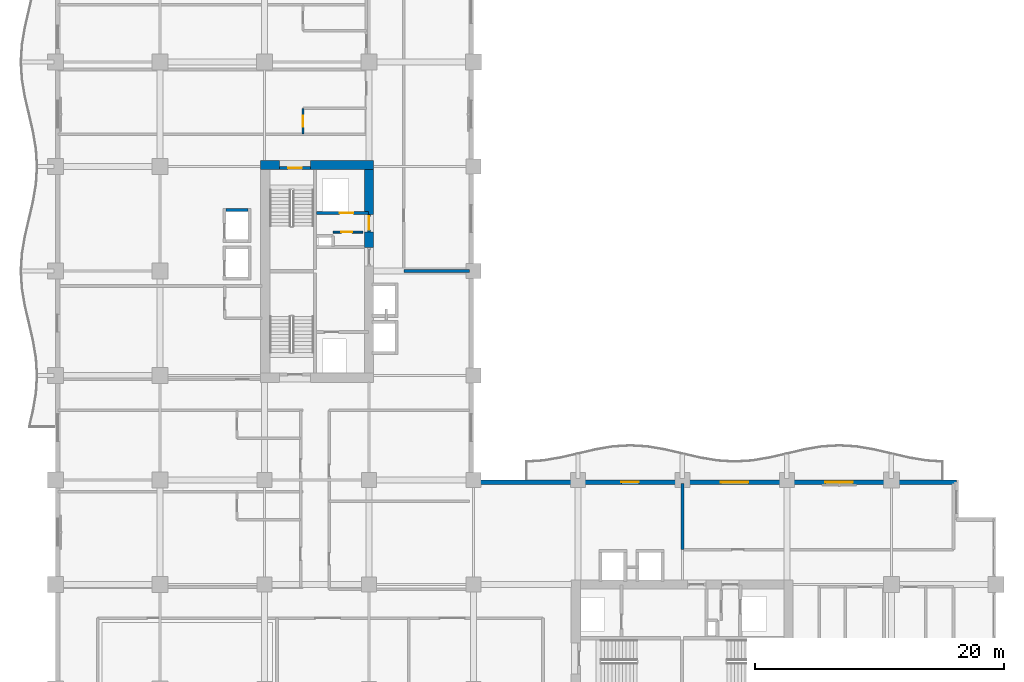
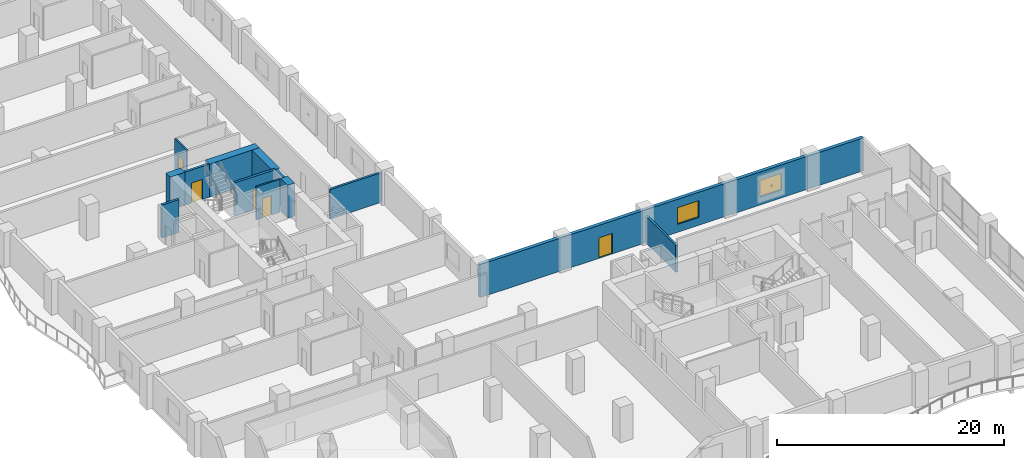
# One storey, part 13 of 24: 13 walls, 6 doors, 2 windows, 8 openings.
"""IFC4 building model written with IfcOpenShell, lengths in metres."""

from ifc_helpers import new_model, si_unit, direction, frame, frame_2d, origin, place, context, subcontext, project, spatial, rectangle, extrude, material, layer, layer_set, type_object, element, fill, save


model = new_model("IFC4")

# Units and contexts
model_context = context("Model", 3, precision=1e-05, world=origin(), true_north=direction((0.0, 1.0)))
body_context = subcontext(model_context, "Body", "Model", "MODEL_VIEW")
ifc_project = project(units=[si_unit("LENGTHUNIT", "METRE"), si_unit("AREAUNIT", "SQUARE_METRE"), si_unit("VOLUMEUNIT", "CUBIC_METRE"), si_unit("PLANEANGLEUNIT", "RADIAN"), si_unit("MASSUNIT", "GRAM", prefix="KILO")], contexts=[model_context])

# Site, building, storey
site_placement = place(None, origin())
site = spatial("IfcSite", under=ifc_project, at=site_placement, CompositionType="ELEMENT")
building_placement = place(site_placement, origin())
building = spatial("IfcBuilding", under=site, at=building_placement, Name="Koriwani Terraces Tower", CompositionType="ELEMENT")
storey_placement = place(building_placement, frame((0.0, 0.0, 149.39990234375)))
storey = spatial("IfcBuildingStorey", under=building, at=storey_placement, Name="L36", CompositionType="ELEMENT", Elevation=149.39990234375)

# Walls
ifc_material_1 = material(Name="Concrete C60/75", Category="concrete")
ifc_layer_1 = layer(ifc_material_1, 0.75, Name="Concrete C60/75")
ifc_layer_set_1 = layer_set([ifc_layer_1], Name="Concrete C60/75")
wall_type_1 = type_object("IfcWallType", Name="WALL_CORE_RC_750", PredefinedType="SHEAR", material=ifc_layer_set_1)
wall_1_placement = place(storey_placement, frame((16.5, 58.925048828125, 0.0), z_axis=(0.0, 0.0, 1.0), x_axis=(1.0, 0.0, 0.0)))
element("IfcWall", 1, at=wall_1_placement, inside=storey, type_object=wall_type_1, Name="L36 West Split Core Shear Wall N1", PredefinedType="SHEAR", context=body_context, shape_type="SweptSolid", body=[
    extrude(rectangle(XDim=1.5, YDim=0.75, at=frame_2d((0.75, 0.0))), origin(), (0.0, 0.0, 1.0), 3.550048828125),
])
wall_2_placement = place(storey_placement, frame((20.5, 58.925048828125, 0.0), z_axis=(0.0, 0.0, 1.0), x_axis=(1.0, 0.0, 0.0)))
element("IfcWall", 2, at=wall_2_placement, inside=storey, type_object=wall_type_1, Name="L36 West Split Core Shear Wall N2", PredefinedType="SHEAR", context=body_context, shape_type="SweptSolid", body=[
    extrude(rectangle(XDim=5.074951171875, YDim=0.75, at=frame_2d((2.53759765625, 0.0))), origin(), (0.0, 0.0, 1.0), 3.550048828125),
])
wall_3_placement = place(storey_placement, frame((25.199951171875, 52.280029296875, 0.0), z_axis=(0.0, 0.0, 1.0), x_axis=(0.0, 1.0, 0.0)))
element("IfcWall", 3, at=wall_3_placement, inside=storey, type_object=wall_type_1, Name="L36 West Split Core Shear Wall E2", PredefinedType="SHEAR", context=body_context, shape_type="SweptSolid", body=[
    extrude(rectangle(XDim=1.27001953125, YDim=0.75, at=frame_2d((0.635009765625, 0.0))), origin(), (0.0, 0.0, 1.0), 3.550048828125),
])
wall_4_placement = place(storey_placement, frame((25.199951171875, 54.949951171875, 0.0), z_axis=(0.0, 0.0, 1.0), x_axis=(0.0, 1.0, 0.0)))
element("IfcWall", 4, at=wall_4_placement, inside=storey, type_object=wall_type_1, Name="L36 West Split Core Shear Wall E3", PredefinedType="SHEAR", context=body_context, shape_type="SweptSolid", body=[
    extrude(rectangle(XDim=3.60009765625, YDim=0.75, at=frame_2d((1.800048828125, 0.0))), origin(), (0.0, 0.0, 1.0), 3.550048828125),
])
ifc_material_2 = material(Name="Autoclaved Cellular Concrete Blockwork", Category="masonry")
ifc_layer_2 = layer(ifc_material_2, 0.219970703125, Name="Autoclaved Cellular Concrete Blockwork")
ifc_layer_set_2 = layer_set([ifc_layer_2], Name="Autoclaved Cellular Concrete Blockwork")
wall_type_2 = type_object("IfcWallType", Name="WALL_DEMISING_220", PredefinedType="PARTITIONING", material=ifc_layer_set_2)
wall_5_placement = place(storey_placement, frame((28.0, 50.39990234375, 0.0), z_axis=(0.0, 0.0, 1.0), x_axis=(1.0, 0.0, 0.0)))
element("IfcWall", 5, at=wall_5_placement, inside=storey, type_object=wall_type_2, Name="L36 Interior Wall WNEC-S-L36", PredefinedType="PARTITIONING", context=body_context, shape_type="SweptSolid", body=[
    extrude(rectangle(XDim=5.300048828125, YDim=0.219970703125, at=frame_2d((2.64990234375, 0.0))), origin(), (0.0, 0.0, 1.0), 3.18701171875),
])
wall_6_placement = place(storey_placement, frame((50.39990234375, 28.0, 0.0), z_axis=(0.0, 0.0, 1.0), x_axis=(0.0, 1.0, 0.0)))
element("IfcWall", 6, at=wall_6_placement, inside=storey, type_object=wall_type_2, Name="L36 Interior Wall WSEC-W-L36", PredefinedType="PARTITIONING", context=body_context, shape_type="SweptSolid", body=[
    extrude(rectangle(XDim=5.300048828125, YDim=0.219970703125, at=frame_2d((2.64990234375, 0.0))), origin(), (0.0, 0.0, 1.0), 2.900146484375),
])

# Wall, openings, door, windows
ifc_material_3 = material(Name="Concrete C50/60", Category="concrete")
ifc_layer_3 = layer(ifc_material_3, 0.35009765625, Name="Concrete C50/60")
ifc_layer_set_3 = layer_set([ifc_layer_3], Name="Concrete C50/60")
wall_type_3 = type_object("IfcWallType", Name="WALL_EXT_BRUTALIST_350", PredefinedType="STANDARD", material=ifc_layer_set_3)
wall_7_placement = place(storey_placement, frame((33.425048828125, 33.425048828125, 0.0), z_axis=(0.0, 0.0, 1.0), x_axis=(1.0, 0.0, 0.0)))
wall_7 = element("IfcWall", 7, at=wall_7_placement, inside=storey, type_object=wall_type_3, Name="L36 Fair-Faced Brutalist Exterior Wall (NE)", PredefinedType="STANDARD", context=body_context, shape_type="SweptSolid", body=[
    extrude(rectangle(XDim=39.0, YDim=0.35009765625, at=frame_2d((19.5, 0.0))), origin(), (0.0, 0.0, 1.0), 3.550048828125),
])
opening_1_placement = place(wall_7_placement, frame((12.074951171875, 0.0, 0.0)))
opening_1 = element("IfcOpeningElement", 8, at=opening_1_placement, cuts=wall_7, Name="Opening D-09", PredefinedType="OPENING", context=body_context, shape_type="SweptSolid", body=[
    extrude(rectangle(XDim=1.39990234375, YDim=2.199951171875, at=frame_2d((0.699951171875, 1.10009765625))), frame((0.0, 0.18505859375, 0.0), z_axis=(0.0, -1.0, 0.0), x_axis=(1.0, 0.0, 0.0)), (0.0, 0.0, 1.0), 0.3701171875),
])
opening_2_placement = place(wall_7_placement, frame((20.074951171875, 0.0, 0.85009765625)))
opening_2 = element("IfcOpeningElement", 9, at=opening_2_placement, cuts=wall_7, Name="Opening W-01", PredefinedType="OPENING", context=body_context, shape_type="SweptSolid", body=[
    extrude(rectangle(XDim=2.199951171875, YDim=1.800048828125, at=frame_2d((1.10009765625, 0.89990234375))), frame((0.0, 0.18505859375, 0.0), z_axis=(0.0, -1.0, 0.0), x_axis=(1.0, 0.0, 0.0)), (0.0, 0.0, 1.0), 0.3701171875),
])
opening_3_placement = place(wall_7_placement, frame((28.47509765625, 0.0, 0.85009765625)))
opening_3 = element("IfcOpeningElement", 10, at=opening_3_placement, cuts=wall_7, Name="Opening W-01", PredefinedType="OPENING", context=body_context, shape_type="SweptSolid", body=[
    extrude(rectangle(XDim=2.199951171875, YDim=1.800048828125, at=frame_2d((1.10009765625, 0.89990234375))), frame((0.0, 0.18505859375, 0.0), z_axis=(0.0, -1.0, 0.0), x_axis=(1.0, 0.0, 0.0)), (0.0, 0.0, 1.0), 0.3701171875),
])
ifc_material_4 = material(Name="Anodised Bronze Aluminium", Category="aluminium")
door_type_1 = type_object("IfcDoorType", Name="DOOR_BALCONY_GLAZED_1400X2200", OperationType="NOTDEFINED", PredefinedType="DOOR", material=ifc_material_4)
door_1_placement = place(opening_1_placement, origin())
door_1 = element("IfcDoor", 11, at=door_1_placement, inside=storey, type_object=door_type_1, Name="L36 Inner Court Balcony Glazed Door", OperationType="SINGLE_SWING_LEFT", OverallHeight=2.199951171875, OverallWidth=1.39990234375, PredefinedType="DOOR", context=body_context, shape_type="SweptSolid", body=[
    extrude(rectangle(XDim=1.39990234375, YDim=2.199951171875, at=frame_2d((0.699951171875, 1.10009765625))), frame((0.0, 0.02490234375, 0.0), z_axis=(0.0, -1.0, 0.0), x_axis=(1.0, 0.0, 0.0)), (0.0, 0.0, 1.0), 0.050048828125),
])
fill(opening_1, door_1)
ifc_material_5 = material(Name="Tempered Laminated Low-E Glass", Category="glass")
window_type = type_object("IfcWindowType", Name="WIN_HOTEL_STD_2200X1800", PartitioningType="DOUBLE_PANEL_VERTICAL", PredefinedType="WINDOW", material=ifc_material_5)
window_1_placement = place(opening_2_placement, origin())
window_1 = element("IfcWindow", 12, at=window_1_placement, inside=storey, type_object=window_type, Name="L36 Exterior Window (NE-8)", OverallHeight=1.800048828125, OverallWidth=2.199951171875, PartitioningType="SINGLE_PANEL", PredefinedType="WINDOW", context=body_context, shape_type="SweptSolid", body=[
    extrude(rectangle(XDim=2.199951171875, YDim=1.800048828125, at=frame_2d((1.10009765625, 0.89990234375))), frame((0.0, 0.030029296875, 0.0), z_axis=(0.0, -1.0, 0.0), x_axis=(1.0, 0.0, 0.0)), (0.0, 0.0, 1.0), 0.06005859375),
])
fill(opening_2, window_1)
window_2_placement = place(opening_3_placement, origin())
window_2 = element("IfcWindow", 13, at=window_2_placement, inside=storey, type_object=window_type, Name="L36 Exterior Window (NE-11)", OverallHeight=1.800048828125, OverallWidth=2.199951171875, PartitioningType="SINGLE_PANEL", PredefinedType="WINDOW", context=body_context, shape_type="SweptSolid", body=[
    extrude(rectangle(XDim=2.199951171875, YDim=1.800048828125, at=frame_2d((1.10009765625, 0.89990234375))), frame((0.0, 0.030029296875, 0.0), z_axis=(0.0, -1.0, 0.0), x_axis=(1.0, 0.0, 0.0)), (0.0, 0.0, 1.0), 0.06005859375),
])
fill(opening_3, window_2)

# Wall, opening, door
ifc_material_6 = material(Name="Fire-Rated Acoustic Gypsum Partition", Category="masonry")
ifc_layer_4 = layer(ifc_material_6, 0.179931640625, Name="Fire-Rated Acoustic Gypsum Partition")
ifc_layer_set_4 = layer_set([ifc_layer_4], Name="Fire-Rated Acoustic Gypsum Partition")
wall_type_4 = type_object("IfcWallType", Name="WALL_PLUMBING_180", PredefinedType="PLUMBINGWALL", material=ifc_layer_set_4)
wall_8_placement = place(storey_placement, frame((19.89990234375, 61.39990234375, 0.0), z_axis=(0.0, 0.0, 1.0), x_axis=(0.0, 1.0, 0.0)))
wall_8 = element("IfcWall", 14, at=wall_8_placement, inside=storey, type_object=wall_type_4, Name="L36 Interior Wall WBTH1-L36-NE-0", PredefinedType="PLUMBINGWALL", context=body_context, shape_type="SweptSolid", body=[
    extrude(rectangle(XDim=2.080078125, YDim=0.179931640625, at=frame_2d((1.0400390625, 0.0))), origin(), (0.0, 0.0, 1.0), 3.550048828125),
])
opening_4_placement = place(wall_8_placement, frame((0.590087890625, 0.0, 0.0)))
opening_4 = element("IfcOpeningElement", 15, at=opening_4_placement, cuts=wall_8, Name="Opening D-07", PredefinedType="OPENING", context=body_context, shape_type="SweptSolid", body=[
    extrude(rectangle(XDim=0.89990234375, YDim=2.10009765625, at=frame_2d((0.449951171875, 1.050048828125))), frame((0.0, 0.10009765625, 0.0), z_axis=(0.0, -1.0, 0.0), x_axis=(1.0, 0.0, 0.0)), (0.0, 0.0, 1.0), 0.199951171875),
])
ifc_material_7 = material(Name="Architectural Oak Fire Door", Category="wood")
door_type_2 = type_object("IfcDoorType", Name="DOOR_BATH_INT_900X2100", OperationType="NOTDEFINED", PredefinedType="DOOR", material=ifc_material_7)
door_2_placement = place(opening_4_placement, origin())
door_2 = element("IfcDoor", 16, at=door_2_placement, inside=storey, type_object=door_type_2, Name="En-Suite Bathroom 36NE1 Door", OperationType="SINGLE_SWING_RIGHT", OverallHeight=2.10009765625, OverallWidth=0.89990234375, PredefinedType="DOOR", context=body_context, shape_type="SweptSolid", body=[
    extrude(rectangle(XDim=0.89990234375, YDim=2.10009765625, at=frame_2d((0.449951171875, 1.050048828125))), frame((0.0, 0.02490234375, 0.0), z_axis=(0.0, -1.0, 0.0), x_axis=(1.0, 0.0, 0.0)), (0.0, 0.0, 1.0), 0.050048828125),
])
fill(opening_4, door_2)

ifc_material_8 = material(Name="Concrete C40/50", Category="concrete")
ifc_layer_5 = layer(ifc_material_8, 0.25, Name="Concrete C40/50")
ifc_layer_set_5 = layer_set([ifc_layer_5], Name="Concrete C40/50")
wall_type_5 = type_object("IfcWallType", Name="WALL_SHAFT_RATED_250", PredefinedType="SOLIDWALL", material=ifc_layer_set_5)
wall_9_placement = place(storey_placement, frame((18.0, 58.675048828125, 0.0), z_axis=(0.0, 0.0, 1.0), x_axis=(1.0, 0.0, 0.0)))
wall_9 = element("IfcWall", 17, at=wall_9_placement, inside=storey, type_object=wall_type_5, Name="L36 Interior Wall WIN-CW-L36-STN", PredefinedType="SOLIDWALL", context=body_context, shape_type="SweptSolid", body=[
    extrude(rectangle(XDim=2.5, YDim=0.25, at=frame_2d((1.25, 0.0))), origin(), (0.0, 0.0, 1.0), 3.550048828125),
])
opening_5_placement = place(wall_9_placement, frame((0.699951171875, 0.0, 0.0)))
opening_5 = element("IfcOpeningElement", 18, at=opening_5_placement, cuts=wall_9, Name="Opening D-03", PredefinedType="OPENING", context=body_context, shape_type="SweptSolid", body=[
    extrude(rectangle(XDim=1.10009765625, YDim=2.14990234375, at=frame_2d((0.550048828125, 1.074951171875))), frame((0.0, 0.135009765625, 0.0), z_axis=(0.0, -1.0, 0.0), x_axis=(1.0, 0.0, 0.0)), (0.0, 0.0, 1.0), 0.27001953125),
])
ifc_material_9 = material(Name="Steel ASTM A572 Grade 50", Category="steel")
door_type_3 = type_object("IfcDoorType", Name="DOOR_STAIR_FIRE_1100X2150", OperationType="NOTDEFINED", PredefinedType="DOOR", material=ifc_material_9)
door_3_placement = place(opening_5_placement, origin())
door_3 = element("IfcDoor", 19, at=door_3_placement, inside=storey, type_object=door_type_3, Name="L36 Exit Stair ST-W2 Door", OperationType="SINGLE_SWING_LEFT", OverallHeight=2.14990234375, OverallWidth=1.10009765625, PredefinedType="DOOR", context=body_context, shape_type="SweptSolid", body=[
    extrude(rectangle(XDim=1.10009765625, YDim=2.14990234375, at=frame_2d((0.550048828125, 1.074951171875))), frame((0.0, 0.02490234375, 0.0), z_axis=(0.0, -1.0, 0.0), x_axis=(1.0, 0.0, 0.0)), (0.0, 0.0, 1.0), 0.050048828125),
])
fill(opening_5, door_3)

wall_10_placement = place(storey_placement, frame((21.0, 55.050048828125, 0.0), z_axis=(0.0, 0.0, 1.0), x_axis=(1.0, 0.0, 0.0)))
wall_10 = element("IfcWall", 20, at=wall_10_placement, inside=storey, type_object=wall_type_5, Name="L36 Interior Wall WIN-CW-L36-SE", PredefinedType="SOLIDWALL", context=body_context, shape_type="SweptSolid", body=[
    extrude(rectangle(XDim=4.14990234375, YDim=0.25, at=frame_2d((2.074951171875, 0.0))), origin(), (0.0, 0.0, 1.0), 3.550048828125),
])
opening_6_placement = place(wall_10_placement, frame((1.85009765625, 0.0, 0.0)))
opening_6 = element("IfcOpeningElement", 21, at=opening_6_placement, cuts=wall_10, Name="Opening LD-01", PredefinedType="OPENING", context=body_context, shape_type="SweptSolid", body=[
    extrude(rectangle(XDim=1.10009765625, YDim=2.14990234375, at=frame_2d((0.550048828125, 1.074951171875))), frame((0.0, 0.135009765625, 0.0), z_axis=(0.0, -1.0, 0.0), x_axis=(1.0, 0.0, 0.0)), (0.0, 0.0, 1.0), 0.27001953125),
])
door_type_4 = type_object("IfcDoorType", Name="DOOR_LIFT_LANDING_1100X2200", OperationType="NOTDEFINED", PredefinedType="DOOR", material=ifc_material_9)
door_4_placement = place(opening_6_placement, origin())
door_4 = element("IfcDoor", 22, at=door_4_placement, inside=storey, type_object=door_type_4, Name="L36 Goods Lift SE-01 Landing Door", OperationType="SLIDING_TO_LEFT", OverallHeight=2.14990234375, OverallWidth=1.10009765625, PredefinedType="DOOR", context=body_context, shape_type="SweptSolid", body=[
    extrude(rectangle(XDim=1.10009765625, YDim=2.14990234375, at=frame_2d((0.550048828125, 1.074951171875))), frame((0.0, 0.02490234375, 0.0), z_axis=(0.0, -1.0, 0.0), x_axis=(1.0, 0.0, 0.0)), (0.0, 0.0, 1.0), 0.050048828125),
])
fill(opening_6, door_4)

wall_11_placement = place(storey_placement, frame((25.199951171875, 53.550048828125, 0.0), z_axis=(0.0, 0.0, 1.0), x_axis=(0.0, 1.0, 0.0)))
wall_11 = element("IfcWall", 23, at=wall_11_placement, inside=storey, type_object=wall_type_5, Name="L36 Interior Wall WIN-CW-L36-EP2", PredefinedType="SOLIDWALL", context=body_context, shape_type="SweptSolid", body=[
    extrude(rectangle(XDim=1.39990234375, YDim=0.25, at=frame_2d((0.699951171875, 0.0))), origin(), (0.0, 0.0, 1.0), 3.550048828125),
])
opening_7_placement = place(wall_11_placement, frame((0.14990234375, 0.0, 0.0)))
opening_7 = element("IfcOpeningElement", 24, at=opening_7_placement, cuts=wall_11, Name="Opening D-03", PredefinedType="OPENING", context=body_context, shape_type="SweptSolid", body=[
    extrude(rectangle(XDim=1.10009765625, YDim=2.14990234375, at=frame_2d((0.550048828125, 1.074951171875))), frame((0.0, 0.135009765625, 0.0), z_axis=(0.0, -1.0, 0.0), x_axis=(1.0, 0.0, 0.0)), (0.0, 0.0, 1.0), 0.27001953125),
])
door_5_placement = place(opening_7_placement, origin())
door_5 = element("IfcDoor", 25, at=door_5_placement, inside=storey, type_object=door_type_3, Name="L36 West Goods Lift Lobby Door", OperationType="SINGLE_SWING_LEFT", OverallHeight=2.14990234375, OverallWidth=1.10009765625, PredefinedType="DOOR", context=body_context, shape_type="SweptSolid", body=[
    extrude(rectangle(XDim=1.10009765625, YDim=2.14990234375, at=frame_2d((0.550048828125, 1.074951171875))), frame((0.0, 0.02490234375, 0.0), z_axis=(0.0, -1.0, 0.0), x_axis=(1.0, 0.0, 0.0)), (0.0, 0.0, 1.0), 0.050048828125),
])
fill(opening_7, door_5)

# Wall
wall_12_placement = place(storey_placement, frame((13.72509765625, 55.300048828125, 0.0), z_axis=(0.0, 0.0, 1.0), x_axis=(1.0, 0.0, 0.0)))
element("IfcWall", 26, at=wall_12_placement, inside=storey, type_object=wall_type_5, Name="L36 Interior Wall WIN-LF-PE-M2-L36-N", PredefinedType="SOLIDWALL", context=body_context, shape_type="SweptSolid", body=[
    extrude(rectangle(XDim=1.75, YDim=0.25, at=frame_2d((0.875, 0.0))), origin(), (0.0, 0.0, 1.0), 3.550048828125),
])

# Wall, opening, door
ifc_layer_6 = layer(ifc_material_6, 0.159912109375, Name="Fire-Rated Acoustic Gypsum Partition")
ifc_layer_set_6 = layer_set([ifc_layer_6], Name="Fire-Rated Acoustic Gypsum Partition")
wall_type_6 = type_object("IfcWallType", Name="WALL_SUITE_160", PredefinedType="PARTITIONING", material=ifc_layer_set_6)
wall_13_placement = place(storey_placement, frame((22.320068359375, 53.52001953125, 0.0), z_axis=(0.0, 0.0, 1.0), x_axis=(1.0, 0.0, 0.0)))
wall_13 = element("IfcWall", 27, at=wall_13_placement, inside=storey, type_object=wall_type_6, Name="L36 Interior Wall WIN-CW-L36-SV0", PredefinedType="PARTITIONING", context=body_context, shape_type="SweptSolid", body=[
    extrude(rectangle(XDim=2.39990234375, YDim=0.159912109375, at=frame_2d((1.199951171875, 0.0))), origin(), (0.0, 0.0, 1.0), 3.550048828125),
])
opening_8_placement = place(wall_13_placement, frame((0.64990234375, 0.0, 0.0)))
opening_8 = element("IfcOpeningElement", 28, at=opening_8_placement, cuts=wall_13, Name="Opening D-07", PredefinedType="OPENING", context=body_context, shape_type="SweptSolid", body=[
    extrude(rectangle(XDim=0.89990234375, YDim=2.10009765625, at=frame_2d((0.449951171875, 1.050048828125))), frame((0.0, 0.08984375, 0.0), z_axis=(0.0, -1.0, 0.0), x_axis=(1.0, 0.0, 0.0)), (0.0, 0.0, 1.0), 0.179931640625),
])
door_6_placement = place(opening_8_placement, origin())
door_6 = element("IfcDoor", 29, at=door_6_placement, inside=storey, type_object=door_type_2, Name="L36 West Electrical Switch Room Door", OperationType="SINGLE_SWING_RIGHT", OverallHeight=2.10009765625, OverallWidth=0.89990234375, PredefinedType="DOOR", context=body_context, shape_type="SweptSolid", body=[
    extrude(rectangle(XDim=0.89990234375, YDim=2.10009765625, at=frame_2d((0.449951171875, 1.050048828125))), frame((0.0, 0.02490234375, 0.0), z_axis=(0.0, -1.0, 0.0), x_axis=(1.0, 0.0, 0.0)), (0.0, 0.0, 1.0), 0.050048828125),
])
fill(opening_8, door_6)

save(model, "model.ifc")
